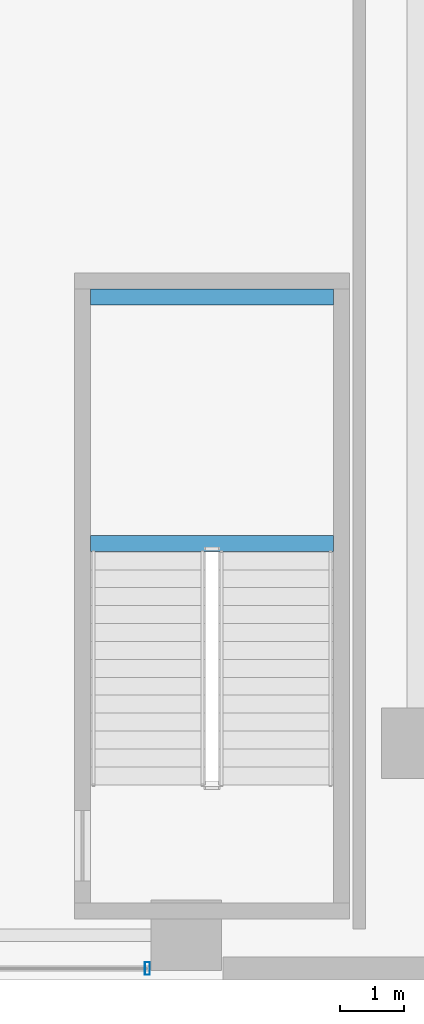
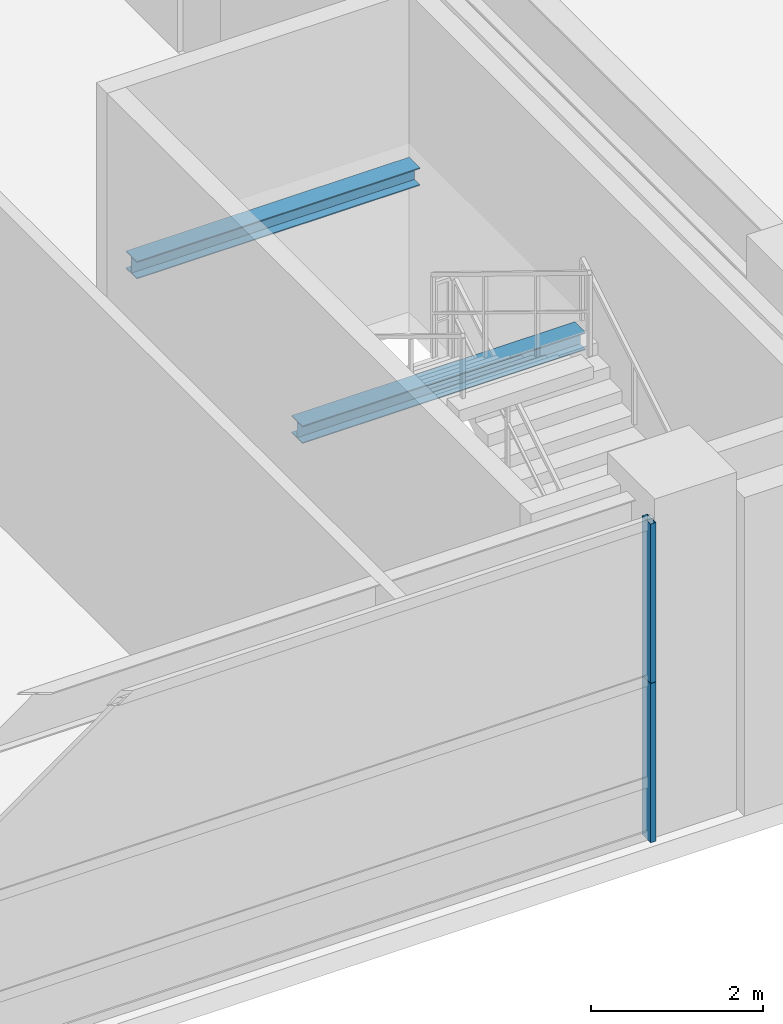
# One storey, part 15 of 38: 2 beams, 2 members, 1 element without a shape of its own.
"""IFC4 building model written with IfcOpenShell, lengths in metres."""

from ifc_helpers import new_model, si_unit, direction, frame, origin, origin_2d, place, context, subcontext, project, spatial, hollow_rectangle, i_section, extrude, source, transform, mapped, material, layer, layer_set, material_profile, profile_set, type_object, element, aggregate, save


model = new_model("IFC4")

# Units and contexts
model_context = context("Model", 3, precision=1e-05, world=origin(), true_north=direction((0.0, 1.0)))
body_context = subcontext(model_context, "Body", "Model", "MODEL_VIEW")
ifc_project = project(units=[si_unit("LENGTHUNIT", "METRE"), si_unit("AREAUNIT", "SQUARE_METRE"), si_unit("VOLUMEUNIT", "CUBIC_METRE"), si_unit("PLANEANGLEUNIT", "RADIAN"), si_unit("MASSUNIT", "GRAM", prefix="KILO"), si_unit("THERMODYNAMICTEMPERATUREUNIT", "KELVIN"), si_unit("POWERUNIT", "WATT")], contexts=[model_context])

# Site, building, storey
site_placement = place(None, origin())
site = spatial("IfcSite", under=ifc_project, at=site_placement, CompositionType="ELEMENT")
building_placement = place(site_placement, origin())
building = spatial("IfcBuilding", under=site, at=building_placement, Name="Yuzanri Waterfront Tower", CompositionType="ELEMENT")
storey_placement = place(building_placement, frame((0.0, 0.0, 10.199951171875)))
storey = spatial("IfcBuildingStorey", under=building, at=storey_placement, Name="L03", CompositionType="ELEMENT", Elevation=10.199951171875)

# Curtain wall, members
ifc_material_1 = material(Name="Anodized Architectural Bronze", Category="metal")
ifc_layer = layer(ifc_material_1, 0.159912109375)
ifc_layer_set = layer_set([ifc_layer], Name="Anodized Architectural Bronze")
curtain_wall_type = type_object("IfcCurtainWallType", Name="Anodized Bronze Podium Waterfront Double-Height Unitized Curtain Wall 8400", PredefinedType="NOTDEFINED", material=ifc_layer_set)
curtain_wall_placement = place(storey_placement, origin())
curtain_wall = element("IfcCurtainWall", 1, at=curtain_wall_placement, inside=storey, type_object=curtain_wall_type, Name="L03 Curtain Wall CW-L03-S2", PredefinedType="NOTDEFINED")
ifc_material_2 = material(Name="Anodized Architectural Bronze", Category="metal")
ifc_material_profile_1 = material_profile(ifc_material_2, hollow_rectangle(XDim=0.074951171875, YDim=0.199951171875, WallThickness=0.00390625, at=origin_2d()), Name="CWM 75x200")
ifc_profile_set_1 = profile_set([ifc_material_profile_1], Name="Anodized Architectural Bronze")
member_type = type_object("IfcMemberType", Name="Anodized Bronze Primary Curtain-Wall Mullion 75x200", PredefinedType="MULLION", material=ifc_profile_set_1)
shared_shape_1 = source(origin(), body_context, "Body", "SweptSolid", [
    extrude(hollow_rectangle(XDim=0.074951171875, YDim=0.199951171875, WallThickness=0.00390625, at=origin_2d()), origin(), (0.0, 0.0, 1.0), 2.258056640625),
])
member_1_placement = place(storey_placement, frame((57.889892578125, 1.97998046875, 0.0), z_axis=(0.0, 0.0, 1.0), x_axis=(1.0, 0.0, 0.0)))
member_1 = element("IfcMember", 2, at=member_1_placement, type_object=member_type, Name="CW-L03-S2 Lower Mullion 02", PredefinedType="MULLION", context=body_context, shape_type="MappedRepresentation", body=[
    mapped(shared_shape_1, transform((0.0, 0.0, 0.0), scale=1.0)),
])
member_2_placement = place(storey_placement, frame((57.889892578125, 1.97998046875, 2.261962890625), z_axis=(0.0, 0.0, 1.0), x_axis=(1.0, 0.0, 0.0)))
member_2 = element("IfcMember", 3, at=member_2_placement, type_object=member_type, Name="CW-L03-S2 Upper Mullion 02", PredefinedType="MULLION", context=body_context, shape_type="MappedRepresentation", body=[
    mapped(shared_shape_1, transform((0.0, 0.0, 0.0), scale=1.0)),
])
aggregate(curtain_wall, [member_1, member_2])

# Beams
ifc_material_3 = material(Name="Steel Q355B", Category="steel")
ifc_material_profile_2 = material_profile(ifc_material_3, i_section(OverallWidth=0.25, OverallDepth=0.25, WebThickness=0.009033203125, FlangeThickness=0.013916015625, at=origin_2d()), Name="HW 250x250x9x14")
ifc_profile_set_2 = profile_set([ifc_material_profile_2], Name="Steel Q355B")
beam_type = type_object("IfcBeamType", Name="Stair Landing Support Beam Q355B HW 250x250", PredefinedType="BEAM", material=ifc_profile_set_2)
shared_shape_2 = source(origin(), body_context, "Body", "SweptSolid", [
    extrude(i_section(OverallWidth=0.25, OverallDepth=0.25, WebThickness=0.009033203125, FlangeThickness=0.013916015625, at=origin_2d()), origin(), (0.0, 0.0, 1.0), 3.800048828125),
])
for number, where, z_axis, x_axis, name in (
    (4, (57.0, 8.6201171875, 2.074951171875), (1.0, 0.0, 0.0), (0.0, 1.0, 0.0), "L03 Stair Landing Support Beam PST-02-L03-L1-1"),
    (5, (57.0, 12.469970703125, 2.074951171875), (1.0, 0.0, 0.0), (0.0, 1.0, 0.0), "L03 Stair Landing Support Beam PST-02-L03-L1-2"),
):
    element("IfcBeam", number, at=place(storey_placement, frame(where, z_axis=z_axis, x_axis=x_axis)), inside=storey, type_object=beam_type, Name=name, PredefinedType="BEAM", context=body_context, shape_type="MappedRepresentation", body=[
        mapped(shared_shape_2, transform((0.0, 0.0, 0.0), scale=1.0)),
    ])

save(model, "model.ifc")
